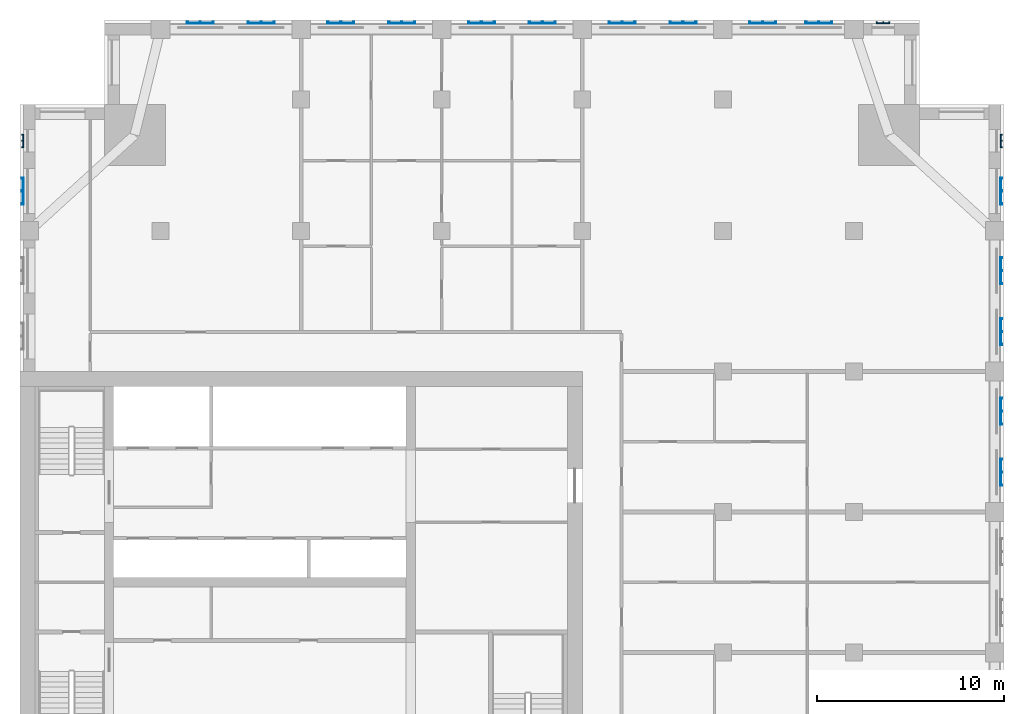
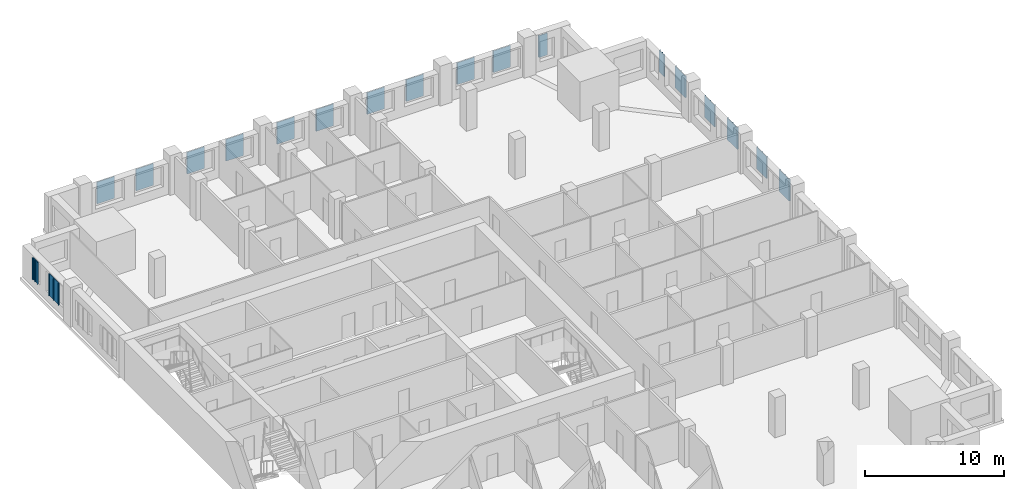
# One storey, part 5 of 14: 19 plates.
"""IFC4 building model written with IfcOpenShell, lengths in metres."""

from ifc_helpers import new_model, si_unit, direction, frame, origin, place, context, subcontext, project, spatial, polyline, outline, extrude, material, layer, layer_set, type_object, element, save


model = new_model("IFC4")

# Units and contexts
model_context = context("Model", 3, precision=1e-05, world=origin(), true_north=direction((0.0, 1.0)))
body_context = subcontext(model_context, "Body", "Model", "MODEL_VIEW")
ifc_project = project(units=[si_unit("LENGTHUNIT", "METRE"), si_unit("AREAUNIT", "SQUARE_METRE"), si_unit("VOLUMEUNIT", "CUBIC_METRE"), si_unit("PLANEANGLEUNIT", "RADIAN"), si_unit("MASSUNIT", "GRAM", prefix="KILO")], contexts=[model_context])

# Site, building, storey
site_placement = place(None, origin())
site = spatial("IfcSite", under=ifc_project, at=site_placement, CompositionType="ELEMENT")
building_placement = place(site_placement, origin())
building = spatial("IfcBuilding", under=site, at=building_placement, Name="Tamorin Gate", CompositionType="ELEMENT")
storey_placement = place(building_placement, frame((0.0, 0.0, 186.199951171875)))
storey = spatial("IfcBuildingStorey", under=building, at=storey_placement, Name="L45", CompositionType="ELEMENT", Elevation=186.199951171875)

# Plates
ifc_material = material(Name="Perforated pale aluminium sheet", Category="aluminium")
ifc_layer_1 = layer(ifc_material, 0.0400390625)
ifc_layer_set_1 = layer_set([ifc_layer_1], Name="Pale metal solar screen 1440")
plate_type_1 = type_object("IfcPlateType", Name="Pale metal solar screen 1440", PredefinedType="SHEET", material=ifc_layer_set_1)
plate_1_placement = place(storey_placement, frame((0.0, 0.0, 0.737548828125)))
element("IfcPlate", 1, at=plate_1_placement, inside=storey, type_object=plate_type_1, Name="Perforated solar screen", PredefinedType="SHEET", context=body_context, shape_type="SweptSolid", body=[
    extrude(outline(polyline([(82.340087890625, 76.405029296875), (82.300048828125, 76.405029296875), (82.300048828125, 76.465087890625), (82.300048828125, 77.094970703125), (82.300048828125, 77.155029296875), (82.300048828125, 77.784912109375), (82.300048828125, 77.844970703125), (82.340087890625, 77.844970703125), (82.39990234375, 77.844970703125), (82.39990234375, 77.784912109375), (82.340087890625, 77.784912109375), (82.340087890625, 77.155029296875), (82.39990234375, 77.155029296875), (82.39990234375, 77.094970703125), (82.340087890625, 77.094970703125), (82.340087890625, 76.465087890625), (82.39990234375, 76.465087890625), (82.39990234375, 76.405029296875), (82.340087890625, 76.405029296875)])), origin(), (0.0, 0.0, 1.0), 1.925048828125),
])
plate_2_placement = place(storey_placement, frame((0.0, 0.0, 0.737548828125)))
element("IfcPlate", 2, at=plate_2_placement, inside=storey, type_object=plate_type_1, Name="Perforated solar screen", PredefinedType="SHEET", context=body_context, shape_type="SweptSolid", body=[
    extrude(outline(polyline([(82.340087890625, 79.655029296875), (82.300048828125, 79.655029296875), (82.300048828125, 79.715087890625), (82.300048828125, 80.344970703125), (82.300048828125, 80.405029296875), (82.300048828125, 81.034912109375), (82.300048828125, 81.094970703125), (82.340087890625, 81.094970703125), (82.39990234375, 81.094970703125), (82.39990234375, 81.034912109375), (82.340087890625, 81.034912109375), (82.340087890625, 80.405029296875), (82.39990234375, 80.405029296875), (82.39990234375, 80.344970703125), (82.340087890625, 80.344970703125), (82.340087890625, 79.715087890625), (82.39990234375, 79.715087890625), (82.39990234375, 79.655029296875), (82.340087890625, 79.655029296875)])), origin(), (0.0, 0.0, 1.0), 1.925048828125),
])
plate_3_placement = place(storey_placement, frame((0.0, 0.0, 0.737548828125)))
element("IfcPlate", 3, at=plate_3_placement, inside=storey, type_object=plate_type_1, Name="Perforated solar screen", PredefinedType="SHEET", context=body_context, shape_type="SweptSolid", body=[
    extrude(outline(polyline([(82.340087890625, 83.905029296875), (82.300048828125, 83.905029296875), (82.300048828125, 83.965087890625), (82.300048828125, 84.594970703125), (82.300048828125, 84.655029296875), (82.300048828125, 85.284912109375), (82.300048828125, 85.344970703125), (82.340087890625, 85.344970703125), (82.39990234375, 85.344970703125), (82.39990234375, 85.284912109375), (82.340087890625, 85.284912109375), (82.340087890625, 84.655029296875), (82.39990234375, 84.655029296875), (82.39990234375, 84.594970703125), (82.340087890625, 84.594970703125), (82.340087890625, 83.965087890625), (82.39990234375, 83.965087890625), (82.39990234375, 83.905029296875), (82.340087890625, 83.905029296875)])), origin(), (0.0, 0.0, 1.0), 1.925048828125),
])
plate_4_placement = place(storey_placement, frame((0.0, 0.0, 0.737548828125)))
element("IfcPlate", 4, at=plate_4_placement, inside=storey, type_object=plate_type_1, Name="Perforated solar screen", PredefinedType="SHEET", context=body_context, shape_type="SweptSolid", body=[
    extrude(outline(polyline([(82.340087890625, 87.155029296875), (82.300048828125, 87.155029296875), (82.300048828125, 87.215087890625), (82.300048828125, 87.844970703125), (82.300048828125, 87.905029296875), (82.300048828125, 88.534912109375), (82.300048828125, 88.594970703125), (82.340087890625, 88.594970703125), (82.39990234375, 88.594970703125), (82.39990234375, 88.534912109375), (82.340087890625, 88.534912109375), (82.340087890625, 87.905029296875), (82.39990234375, 87.905029296875), (82.39990234375, 87.844970703125), (82.340087890625, 87.844970703125), (82.340087890625, 87.215087890625), (82.39990234375, 87.215087890625), (82.39990234375, 87.155029296875), (82.340087890625, 87.155029296875)])), origin(), (0.0, 0.0, 1.0), 1.925048828125),
])
plate_5_placement = place(storey_placement, frame((0.0, 0.0, 0.737548828125)))
element("IfcPlate", 5, at=plate_5_placement, inside=storey, type_object=plate_type_1, Name="Perforated solar screen", PredefinedType="SHEET", context=body_context, shape_type="SweptSolid", body=[
    extrude(outline(polyline([(82.340087890625, 91.405029296875), (82.300048828125, 91.405029296875), (82.300048828125, 91.465087890625), (82.300048828125, 92.094970703125), (82.300048828125, 92.155029296875), (82.300048828125, 92.784912109375), (82.300048828125, 92.844970703125), (82.340087890625, 92.844970703125), (82.39990234375, 92.844970703125), (82.39990234375, 92.784912109375), (82.340087890625, 92.784912109375), (82.340087890625, 92.155029296875), (82.39990234375, 92.155029296875), (82.39990234375, 92.094970703125), (82.340087890625, 92.094970703125), (82.340087890625, 91.465087890625), (82.39990234375, 91.465087890625), (82.39990234375, 91.405029296875), (82.340087890625, 91.405029296875)])), origin(), (0.0, 0.0, 1.0), 1.925048828125),
])
plate_6_placement = place(storey_placement, frame((0.0, 0.0, 0.737548828125)))
element("IfcPlate", 6, at=plate_6_placement, inside=storey, type_object=plate_type_1, Name="Perforated solar screen", PredefinedType="SHEET", context=body_context, shape_type="SweptSolid", body=[
    extrude(outline(polyline([(70.344970703125, 101.090087890625), (70.344970703125, 101.050048828125), (70.284912109375, 101.050048828125), (69.655029296875, 101.050048828125), (69.594970703125, 101.050048828125), (68.965087890625, 101.050048828125), (68.905029296875, 101.050048828125), (68.905029296875, 101.090087890625), (68.905029296875, 101.14990234375), (68.965087890625, 101.14990234375), (68.965087890625, 101.090087890625), (69.594970703125, 101.090087890625), (69.594970703125, 101.14990234375), (69.655029296875, 101.14990234375), (69.655029296875, 101.090087890625), (70.284912109375, 101.090087890625), (70.284912109375, 101.14990234375), (70.344970703125, 101.14990234375), (70.344970703125, 101.090087890625)])), origin(), (0.0, 0.0, 1.0), 1.925048828125),
])
plate_7_placement = place(storey_placement, frame((0.0, 0.0, 0.737548828125)))
element("IfcPlate", 7, at=plate_7_placement, inside=storey, type_object=plate_type_1, Name="Perforated solar screen", PredefinedType="SHEET", context=body_context, shape_type="SweptSolid", body=[
    extrude(outline(polyline([(73.344970703125, 101.090087890625), (73.344970703125, 101.050048828125), (73.284912109375, 101.050048828125), (72.655029296875, 101.050048828125), (72.594970703125, 101.050048828125), (71.965087890625, 101.050048828125), (71.905029296875, 101.050048828125), (71.905029296875, 101.050048828125), (71.905029296875, 101.090087890625), (71.905029296875, 101.090087890625), (71.905029296875, 101.14990234375), (71.965087890625, 101.14990234375), (71.965087890625, 101.090087890625), (72.594970703125, 101.090087890625), (72.594970703125, 101.14990234375), (72.655029296875, 101.14990234375), (72.655029296875, 101.090087890625), (73.284912109375, 101.090087890625), (73.284912109375, 101.14990234375), (73.344970703125, 101.14990234375), (73.344970703125, 101.090087890625)])), origin(), (0.0, 0.0, 1.0), 1.925048828125),
])
plate_8_placement = place(storey_placement, frame((0.0, 0.0, 0.737548828125)))
element("IfcPlate", 8, at=plate_8_placement, inside=storey, type_object=plate_type_1, Name="Perforated solar screen", PredefinedType="SHEET", context=body_context, shape_type="SweptSolid", body=[
    extrude(outline(polyline([(62.844970703125, 101.090087890625), (62.844970703125, 101.050048828125), (62.784912109375, 101.050048828125), (62.155029296875, 101.050048828125), (62.094970703125, 101.050048828125), (61.465087890625, 101.050048828125), (61.405029296875, 101.050048828125), (61.405029296875, 101.090087890625), (61.405029296875, 101.14990234375), (61.465087890625, 101.14990234375), (61.465087890625, 101.090087890625), (62.094970703125, 101.090087890625), (62.094970703125, 101.14990234375), (62.155029296875, 101.14990234375), (62.155029296875, 101.090087890625), (62.784912109375, 101.090087890625), (62.784912109375, 101.14990234375), (62.844970703125, 101.14990234375), (62.844970703125, 101.090087890625)])), origin(), (0.0, 0.0, 1.0), 1.925048828125),
])
plate_9_placement = place(storey_placement, frame((0.0, 0.0, 0.737548828125)))
element("IfcPlate", 9, at=plate_9_placement, inside=storey, type_object=plate_type_1, Name="Perforated solar screen", PredefinedType="SHEET", context=body_context, shape_type="SweptSolid", body=[
    extrude(outline(polyline([(66.094970703125, 101.090087890625), (66.094970703125, 101.050048828125), (66.034912109375, 101.050048828125), (65.405029296875, 101.050048828125), (65.344970703125, 101.050048828125), (64.715087890625, 101.050048828125), (64.655029296875, 101.050048828125), (64.655029296875, 101.090087890625), (64.655029296875, 101.14990234375), (64.715087890625, 101.14990234375), (64.715087890625, 101.090087890625), (65.344970703125, 101.090087890625), (65.344970703125, 101.14990234375), (65.405029296875, 101.14990234375), (65.405029296875, 101.090087890625), (66.034912109375, 101.090087890625), (66.034912109375, 101.14990234375), (66.094970703125, 101.14990234375), (66.094970703125, 101.090087890625)])), origin(), (0.0, 0.0, 1.0), 1.925048828125),
])
plate_10_placement = place(storey_placement, frame((0.0, 0.0, 0.737548828125)))
element("IfcPlate", 10, at=plate_10_placement, inside=storey, type_object=plate_type_1, Name="Perforated solar screen", PredefinedType="SHEET", context=body_context, shape_type="SweptSolid", body=[
    extrude(outline(polyline([(55.344970703125, 101.090087890625), (55.344970703125, 101.050048828125), (55.284912109375, 101.050048828125), (54.655029296875, 101.050048828125), (54.594970703125, 101.050048828125), (53.965087890625, 101.050048828125), (53.905029296875, 101.050048828125), (53.905029296875, 101.090087890625), (53.905029296875, 101.14990234375), (53.965087890625, 101.14990234375), (53.965087890625, 101.090087890625), (54.594970703125, 101.090087890625), (54.594970703125, 101.14990234375), (54.655029296875, 101.14990234375), (54.655029296875, 101.090087890625), (55.284912109375, 101.090087890625), (55.284912109375, 101.14990234375), (55.344970703125, 101.14990234375), (55.344970703125, 101.090087890625)])), origin(), (0.0, 0.0, 1.0), 1.925048828125),
])
plate_11_placement = place(storey_placement, frame((0.0, 0.0, 0.737548828125)))
element("IfcPlate", 11, at=plate_11_placement, inside=storey, type_object=plate_type_1, Name="Perforated solar screen", PredefinedType="SHEET", context=body_context, shape_type="SweptSolid", body=[
    extrude(outline(polyline([(58.594970703125, 101.090087890625), (58.594970703125, 101.050048828125), (58.534912109375, 101.050048828125), (57.905029296875, 101.050048828125), (57.844970703125, 101.050048828125), (57.215087890625, 101.050048828125), (57.155029296875, 101.050048828125), (57.155029296875, 101.090087890625), (57.155029296875, 101.14990234375), (57.215087890625, 101.14990234375), (57.215087890625, 101.090087890625), (57.844970703125, 101.090087890625), (57.844970703125, 101.14990234375), (57.905029296875, 101.14990234375), (57.905029296875, 101.090087890625), (58.534912109375, 101.090087890625), (58.534912109375, 101.14990234375), (58.594970703125, 101.14990234375), (58.594970703125, 101.090087890625)])), origin(), (0.0, 0.0, 1.0), 1.925048828125),
])
plate_12_placement = place(storey_placement, frame((0.0, 0.0, 0.737548828125)))
element("IfcPlate", 12, at=plate_12_placement, inside=storey, type_object=plate_type_1, Name="Perforated solar screen", PredefinedType="SHEET", context=body_context, shape_type="SweptSolid", body=[
    extrude(outline(polyline([(47.844970703125, 101.090087890625), (47.844970703125, 101.050048828125), (47.784912109375, 101.050048828125), (47.155029296875, 101.050048828125), (47.094970703125, 101.050048828125), (46.465087890625, 101.050048828125), (46.405029296875, 101.050048828125), (46.405029296875, 101.090087890625), (46.405029296875, 101.14990234375), (46.465087890625, 101.14990234375), (46.465087890625, 101.090087890625), (47.094970703125, 101.090087890625), (47.094970703125, 101.14990234375), (47.155029296875, 101.14990234375), (47.155029296875, 101.090087890625), (47.784912109375, 101.090087890625), (47.784912109375, 101.14990234375), (47.844970703125, 101.14990234375), (47.844970703125, 101.090087890625)])), origin(), (0.0, 0.0, 1.0), 1.925048828125),
])
plate_13_placement = place(storey_placement, frame((0.0, 0.0, 0.737548828125)))
element("IfcPlate", 13, at=plate_13_placement, inside=storey, type_object=plate_type_1, Name="Perforated solar screen", PredefinedType="SHEET", context=body_context, shape_type="SweptSolid", body=[
    extrude(outline(polyline([(51.094970703125, 101.090087890625), (51.094970703125, 101.050048828125), (51.034912109375, 101.050048828125), (50.405029296875, 101.050048828125), (50.344970703125, 101.050048828125), (49.715087890625, 101.050048828125), (49.655029296875, 101.050048828125), (49.655029296875, 101.090087890625), (49.655029296875, 101.14990234375), (49.715087890625, 101.14990234375), (49.715087890625, 101.090087890625), (50.344970703125, 101.090087890625), (50.344970703125, 101.14990234375), (50.405029296875, 101.14990234375), (50.405029296875, 101.090087890625), (51.034912109375, 101.090087890625), (51.034912109375, 101.14990234375), (51.094970703125, 101.14990234375), (51.094970703125, 101.090087890625)])), origin(), (0.0, 0.0, 1.0), 1.925048828125),
])
plate_14_placement = place(storey_placement, frame((0.0, 0.0, 0.737548828125)))
element("IfcPlate", 14, at=plate_14_placement, inside=storey, type_object=plate_type_1, Name="Perforated solar screen", PredefinedType="SHEET", context=body_context, shape_type="SweptSolid", body=[
    extrude(outline(polyline([(40.344970703125, 101.090087890625), (40.344970703125, 101.050048828125), (40.284912109375, 101.050048828125), (39.655029296875, 101.050048828125), (39.594970703125, 101.050048828125), (38.965087890625, 101.050048828125), (38.905029296875, 101.050048828125), (38.905029296875, 101.090087890625), (38.905029296875, 101.14990234375), (38.965087890625, 101.14990234375), (38.965087890625, 101.090087890625), (39.594970703125, 101.090087890625), (39.594970703125, 101.14990234375), (39.655029296875, 101.14990234375), (39.655029296875, 101.090087890625), (40.284912109375, 101.090087890625), (40.284912109375, 101.14990234375), (40.344970703125, 101.14990234375), (40.344970703125, 101.090087890625)])), origin(), (0.0, 0.0, 1.0), 1.925048828125),
])
plate_15_placement = place(storey_placement, frame((0.0, 0.0, 0.737548828125)))
element("IfcPlate", 15, at=plate_15_placement, inside=storey, type_object=plate_type_1, Name="Perforated solar screen", PredefinedType="SHEET", context=body_context, shape_type="SweptSolid", body=[
    extrude(outline(polyline([(43.594970703125, 101.090087890625), (43.594970703125, 101.050048828125), (43.534912109375, 101.050048828125), (42.905029296875, 101.050048828125), (42.844970703125, 101.050048828125), (42.215087890625, 101.050048828125), (42.155029296875, 101.050048828125), (42.155029296875, 101.090087890625), (42.155029296875, 101.14990234375), (42.215087890625, 101.14990234375), (42.215087890625, 101.090087890625), (42.844970703125, 101.090087890625), (42.844970703125, 101.14990234375), (42.905029296875, 101.14990234375), (42.905029296875, 101.090087890625), (43.534912109375, 101.090087890625), (43.534912109375, 101.14990234375), (43.594970703125, 101.14990234375), (43.594970703125, 101.090087890625)])), origin(), (0.0, 0.0, 1.0), 1.925048828125),
])
plate_16_placement = place(storey_placement, frame((0.0, 0.0, 0.737548828125)))
element("IfcPlate", 16, at=plate_16_placement, inside=storey, type_object=plate_type_1, Name="Perforated solar screen", PredefinedType="SHEET", context=body_context, shape_type="SweptSolid", body=[
    extrude(outline(polyline([(30.159912109375, 92.844970703125), (30.199951171875, 92.844970703125), (30.199951171875, 92.784912109375), (30.199951171875, 92.155029296875), (30.199951171875, 92.094970703125), (30.199951171875, 91.465087890625), (30.199951171875, 91.405029296875), (30.199951171875, 91.405029296875), (30.159912109375, 91.405029296875), (30.159912109375, 91.405029296875), (30.10009765625, 91.405029296875), (30.10009765625, 91.465087890625), (30.159912109375, 91.465087890625), (30.159912109375, 92.094970703125), (30.10009765625, 92.094970703125), (30.10009765625, 92.155029296875), (30.159912109375, 92.155029296875), (30.159912109375, 92.784912109375), (30.10009765625, 92.784912109375), (30.10009765625, 92.844970703125), (30.159912109375, 92.844970703125)])), origin(), (0.0, 0.0, 1.0), 1.925048828125),
])
ifc_layer_2 = layer(ifc_material, 0.0400390625)
ifc_layer_set_2 = layer_set([ifc_layer_2], Name="Pale metal solar screen 720")
plate_type_2 = type_object("IfcPlateType", Name="Pale metal solar screen 720", PredefinedType="SHEET", material=ifc_layer_set_2)
plate_17_placement = place(storey_placement, frame((0.0, 0.0, 0.737548828125)))
element("IfcPlate", 17, at=plate_17_placement, inside=storey, type_object=plate_type_2, Name="Perforated solar screen", PredefinedType="SHEET", context=body_context, shape_type="SweptSolid", body=[
    extrude(outline(polyline([(82.340087890625, 94.43994140625), (82.300048828125, 94.43994140625), (82.300048828125, 94.5), (82.300048828125, 94.77001953125), (82.300048828125, 94.830078125), (82.300048828125, 95.10009765625), (82.300048828125, 95.159912109375), (82.340087890625, 95.159912109375), (82.39990234375, 95.159912109375), (82.39990234375, 95.10009765625), (82.340087890625, 95.10009765625), (82.340087890625, 94.830078125), (82.39990234375, 94.830078125), (82.39990234375, 94.77001953125), (82.340087890625, 94.77001953125), (82.340087890625, 94.5), (82.39990234375, 94.5), (82.39990234375, 94.43994140625), (82.340087890625, 94.43994140625)])), origin(), (0.0, 0.0, 1.0), 1.925048828125),
])
plate_18_placement = place(storey_placement, frame((0.0, 0.0, 0.737548828125)))
element("IfcPlate", 18, at=plate_18_placement, inside=storey, type_object=plate_type_2, Name="Perforated solar screen", PredefinedType="SHEET", context=body_context, shape_type="SweptSolid", body=[
    extrude(outline(polyline([(76.409912109375, 101.090087890625), (76.409912109375, 101.050048828125), (76.35009765625, 101.050048828125), (76.080078125, 101.050048828125), (76.02001953125, 101.050048828125), (75.75, 101.050048828125), (75.68994140625, 101.050048828125), (75.68994140625, 101.090087890625), (75.68994140625, 101.14990234375), (75.75, 101.14990234375), (75.75, 101.090087890625), (76.02001953125, 101.090087890625), (76.02001953125, 101.14990234375), (76.080078125, 101.14990234375), (76.080078125, 101.090087890625), (76.35009765625, 101.090087890625), (76.35009765625, 101.14990234375), (76.409912109375, 101.14990234375), (76.409912109375, 101.090087890625)])), origin(), (0.0, 0.0, 1.0), 1.925048828125),
])
plate_19_placement = place(storey_placement, frame((0.0, 0.0, 0.737548828125)))
element("IfcPlate", 19, at=plate_19_placement, inside=storey, type_object=plate_type_2, Name="Perforated solar screen", PredefinedType="SHEET", context=body_context, shape_type="SweptSolid", body=[
    extrude(outline(polyline([(30.159912109375, 95.159912109375), (30.199951171875, 95.159912109375), (30.199951171875, 95.10009765625), (30.199951171875, 94.830078125), (30.199951171875, 94.77001953125), (30.199951171875, 94.5), (30.199951171875, 94.43994140625), (30.159912109375, 94.43994140625), (30.10009765625, 94.43994140625), (30.10009765625, 94.5), (30.159912109375, 94.5), (30.159912109375, 94.77001953125), (30.10009765625, 94.77001953125), (30.10009765625, 94.830078125), (30.159912109375, 94.830078125), (30.159912109375, 95.10009765625), (30.10009765625, 95.10009765625), (30.10009765625, 95.159912109375), (30.159912109375, 95.159912109375)])), origin(), (0.0, 0.0, 1.0), 1.925048828125),
])

save(model, "model.ifc")
